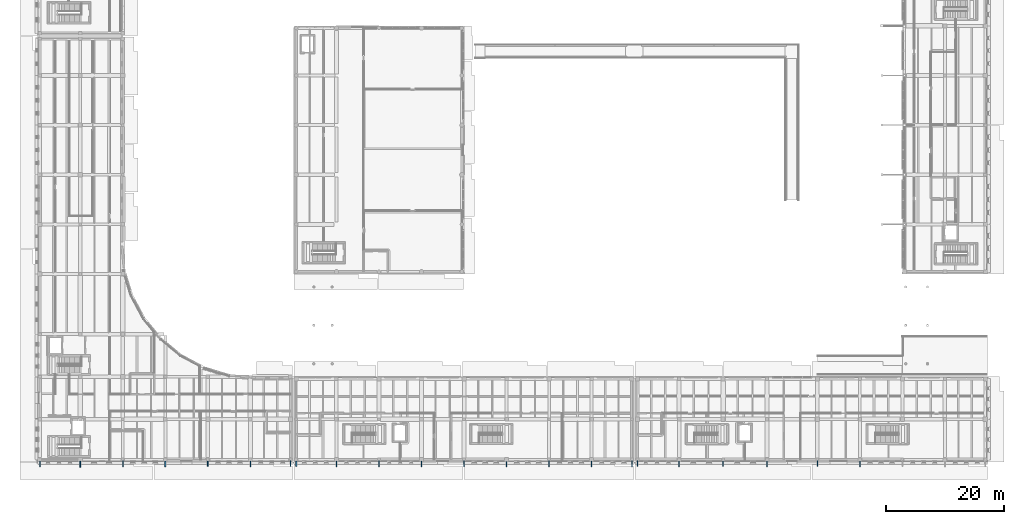
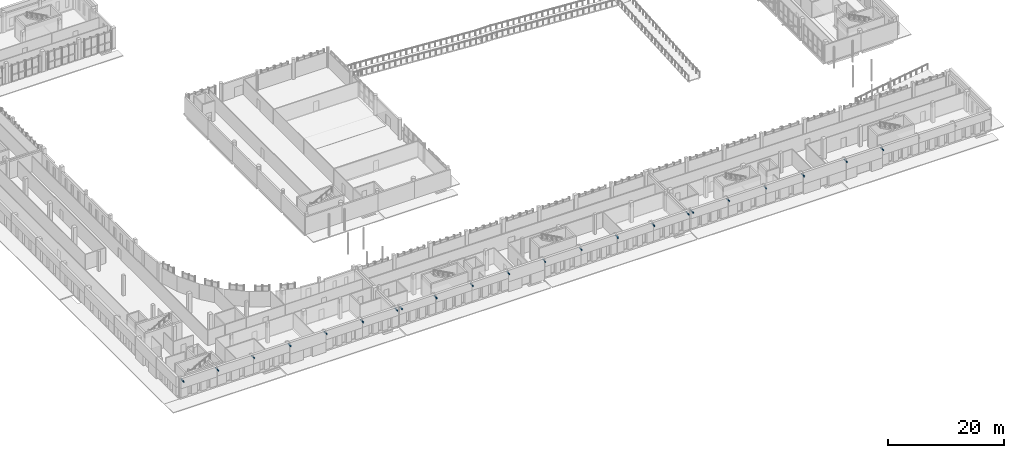
# One storey, part 35 of 77: 22 members.
"""IFC4 building model written with IfcOpenShell, lengths in metres."""

from ifc_helpers import new_model, si_unit, direction, frame, origin, origin_2d, place, context, subcontext, project, spatial, i_section, extrude, material, material_profile, profile_set, type_object, element, save


model = new_model("IFC4")

# Units and contexts
model_context = context("Model", 3, precision=1e-05, world=origin(), true_north=direction((0.0, 1.0)))
body_context = subcontext(model_context, "Body", "Model", "MODEL_VIEW")
ifc_project = project(units=[si_unit("LENGTHUNIT", "METRE"), si_unit("AREAUNIT", "SQUARE_METRE"), si_unit("VOLUMEUNIT", "CUBIC_METRE"), si_unit("PLANEANGLEUNIT", "RADIAN"), si_unit("MASSUNIT", "GRAM", prefix="KILO")], contexts=[model_context])

# Site, building, storey
site_placement = place(None, origin())
site = spatial("IfcSite", under=ifc_project, at=site_placement, CompositionType="ELEMENT")
building_placement = place(site_placement, origin())
building = spatial("IfcBuilding", under=site, at=building_placement, Name="Vardoun Plaza Health Centre", CompositionType="ELEMENT")
storey_placement = place(building_placement, origin())
storey = spatial("IfcBuildingStorey", under=building, at=storey_placement, Name="L00", CompositionType="ELEMENT", Elevation=0.0)

# Members
ifc_material_1 = material(Name="Steel S355J2", Category="steel")
ifc_material_profile_1 = material_profile(ifc_material_1, i_section(OverallWidth=0.1201171875, OverallDepth=0.239990234375, WebThickness=0.006103515625, FlangeThickness=0.009765625, FilletRadius=0.014892578125, at=origin_2d()), Name="IPE 240")
ifc_profile_set_1 = profile_set([ifc_material_profile_1], Name="Steel S355J2")
member_type_1 = type_object("IfcMemberType", Name="CR-01", PredefinedType="RAFTER", material=ifc_profile_set_1)
for number, where, z_axis, x_axis, name in (
    (1, (33.300048828125, 4.675048828125, 3.969970703125), (0.0, -1.0, 0.0), (1.0, 0.0, 0.0), "V2 L00 South Facade Shading Fin Arm SH-V2-L00-005"),
    (2, (55.080078125, 4.574951171875, 3.93505859375), (0.0, -1.0, 0.0), (1.0, 0.0, 0.0), "V4 L00 South Facade Shading Fin Arm SH-V4-L00-040"),
    (3, (91.080078125, 4.64990234375, 3.93505859375), (0.0, -1.0, 0.0), (1.0, 0.0, 0.0), "V4 L00 South Facade Shading Fin Arm SH-V4-L00-045"),
):
    element("IfcMember", number, at=place(storey_placement, frame(where, z_axis=z_axis, x_axis=x_axis)), inside=storey, type_object=member_type_1, Name=name, PredefinedType="RAFTER", context=body_context, shape_type="SweptSolid", body=[
        extrude(i_section(OverallWidth=0.1201171875, OverallDepth=0.239990234375, WebThickness=0.006103515625, FlangeThickness=0.009765625, FilletRadius=0.014892578125, at=origin_2d()), origin(), (0.0, 0.0, 1.0), 0.949951171875),
    ])
member_1_placement = place(storey_placement, frame((127.97998046875, 4.60009765625, 3.955078125), z_axis=(0.0, -1.0, 0.0), x_axis=(1.0, 0.0, 0.0)))
element("IfcMember", 4, at=member_1_placement, inside=storey, type_object=member_type_1, Name="V5 L00 South Facade Shading Fin Arm SH-V5-L00-060", PredefinedType="RAFTER", context=body_context, shape_type="SweptSolid", body=[
    extrude(i_section(OverallWidth=0.1201171875, OverallDepth=0.239990234375, WebThickness=0.006103515625, FlangeThickness=0.009765625, FilletRadius=0.014892578125, at=origin_2d()), origin(), (0.0, 0.0, 1.0), 0.9501953125),
])
ifc_material_2 = material(Name="Steel S355J2", Category="steel")
ifc_material_profile_2 = material_profile(ifc_material_2, i_section(OverallWidth=0.110107421875, OverallDepth=0.219970703125, WebThickness=0.005859375, FlangeThickness=0.00927734375, FilletRadius=0.011962890625, at=origin_2d()), Name="IPE 220")
ifc_profile_set_2 = profile_set([ifc_material_profile_2], Name="Steel S355J2")
member_type_2 = type_object("IfcMemberType", Name="CR-02", PredefinedType="RAFTER", material=ifc_profile_set_2)
for number, where, z_axis, x_axis, name in (
    (5, (4.8798828125, 4.60009765625, 3.969970703125), (0.0, -1.0, 0.0), (1.0, 0.0, 0.0), "V2 L00 South Facade Shading Fin Arm SH-V2-L00-001"),
    (6, (40.5, 4.60009765625, 3.969970703125), (0.0, -1.0, 0.0), (1.0, 0.0, 0.0), "V2 L00 South Facade Shading Fin Arm SH-V2-L00-006"),
):
    element("IfcMember", number, at=place(storey_placement, frame(where, z_axis=z_axis, x_axis=x_axis)), inside=storey, type_object=member_type_2, Name=name, PredefinedType="RAFTER", context=body_context, shape_type="SweptSolid", body=[
        extrude(i_section(OverallWidth=0.110107421875, OverallDepth=0.219970703125, WebThickness=0.005859375, FlangeThickness=0.00927734375, FilletRadius=0.011962890625, at=origin_2d()), origin(), (0.0, 0.0, 1.0), 0.9501953125),
    ])
for number, where, z_axis, x_axis, name in (
    (7, (62.280029296875, 4.64990234375, 3.93505859375), (0.0, -1.0, 0.0), (1.0, 0.0, 0.0), "V4 L00 South Facade Shading Fin Arm SH-V4-L00-041"),
    (8, (98.280029296875, 4.574951171875, 3.93505859375), (0.0, -1.0, 0.0), (1.0, 0.0, 0.0), "V4 L00 South Facade Shading Fin Arm SH-V4-L00-046"),
    (9, (136.5, 4.675048828125, 3.955078125), (0.0, -1.0, 0.0), (1.0, 0.0, 0.0), "V5 L00 South Facade Shading Fin Arm SH-V5-L00-061"),
):
    element("IfcMember", number, at=place(storey_placement, frame(where, z_axis=z_axis, x_axis=x_axis)), inside=storey, type_object=member_type_2, Name=name, PredefinedType="RAFTER", context=body_context, shape_type="SweptSolid", body=[
        extrude(i_section(OverallWidth=0.110107421875, OverallDepth=0.219970703125, WebThickness=0.005859375, FlangeThickness=0.00927734375, FilletRadius=0.011962890625, at=origin_2d()), origin(), (0.0, 0.0, 1.0), 0.949951171875),
    ])
ifc_material_3 = material(Name="Steel S355J2", Category="steel")
ifc_material_profile_3 = material_profile(ifc_material_3, i_section(OverallWidth=0.10009765625, OverallDepth=0.199951171875, WebThickness=0.005615234375, FlangeThickness=0.008544921875, FilletRadius=0.011962890625, at=origin_2d()), Name="IPE 200")
ifc_profile_set_3 = profile_set([ifc_material_profile_3], Name="Steel S355J2")
member_type_3 = type_object("IfcMemberType", Name="CR-03", PredefinedType="RAFTER", material=ifc_profile_set_3)
for number, where, z_axis, x_axis, name in (
    (10, (11.699951171875, 4.550048828125, 3.969970703125), (0.0, -1.0, 0.0), (1.0, 0.0, 0.0), "V2 L00 South Facade Shading Fin Arm SH-V2-L00-002"),
    (11, (47.320068359375, 4.675048828125, 3.969970703125), (0.0, -1.0, 0.0), (1.0, 0.0, 0.0), "V2 L00 South Facade Shading Fin Arm SH-V2-L00-007"),
    (12, (69.47998046875, 4.574951171875, 3.93505859375), (0.0, -1.0, 0.0), (1.0, 0.0, 0.0), "V4 L00 South Facade Shading Fin Arm SH-V4-L00-042"),
    (13, (105.10009765625, 4.64990234375, 3.93505859375), (0.0, -1.0, 0.0), (1.0, 0.0, 0.0), "V4 L00 South Facade Shading Fin Arm SH-V4-L00-047"),
    (14, (106.0400390625, 4.675048828125, 3.955078125), (0.0, -1.0, 0.0), (1.0, 0.0, 0.0), "V5 L00 South Facade Shading Fin Arm SH-V5-L00-057"),
):
    element("IfcMember", number, at=place(storey_placement, frame(where, z_axis=z_axis, x_axis=x_axis)), inside=storey, type_object=member_type_3, Name=name, PredefinedType="RAFTER", context=body_context, shape_type="SweptSolid", body=[
        extrude(i_section(OverallWidth=0.10009765625, OverallDepth=0.199951171875, WebThickness=0.005615234375, FlangeThickness=0.008544921875, FilletRadius=0.011962890625, at=origin_2d()), origin(), (0.0, 0.0, 1.0), 0.949951171875),
    ])
member_2_placement = place(storey_placement, frame((143.699951171875, 4.60009765625, 3.955078125), z_axis=(0.0, -1.0, 0.0), x_axis=(1.0, 0.0, 0.0)))
element("IfcMember", 15, at=member_2_placement, inside=storey, type_object=member_type_3, Name="V5 L00 South Facade Shading Fin Arm SH-V5-L00-062", PredefinedType="RAFTER", context=body_context, shape_type="SweptSolid", body=[
    extrude(i_section(OverallWidth=0.10009765625, OverallDepth=0.199951171875, WebThickness=0.005615234375, FlangeThickness=0.008544921875, FilletRadius=0.011962890625, at=origin_2d()), origin(), (0.0, 0.0, 1.0), 0.9501953125),
])
ifc_material_4 = material(Name="Steel S355J2", Category="steel")
ifc_material_profile_4 = material_profile(ifc_material_4, i_section(OverallWidth=0.091064453125, OverallDepth=0.179931640625, WebThickness=0.00537109375, FlangeThickness=0.008056640625, FilletRadius=0.009033203125, at=origin_2d()), Name="IPE 180")
ifc_profile_set_4 = profile_set([ifc_material_profile_4], Name="Steel S355J2")
member_type_4 = type_object("IfcMemberType", Name="CR-04", PredefinedType="RAFTER", material=ifc_profile_set_4)
for number, where, z_axis, x_axis, name in (
    (16, (18.89990234375, 4.64990234375, 3.969970703125), (0.0, -1.0, 0.0), (1.0, 0.0, 0.0), "V2 L00 South Facade Shading Fin Arm SH-V2-L00-003"),
    (17, (76.679931640625, 4.64990234375, 3.93505859375), (0.0, -1.0, 0.0), (1.0, 0.0, 0.0), "V4 L00 South Facade Shading Fin Arm SH-V4-L00-043"),
):
    element("IfcMember", number, at=place(storey_placement, frame(where, z_axis=z_axis, x_axis=x_axis)), inside=storey, type_object=member_type_4, Name=name, PredefinedType="RAFTER", context=body_context, shape_type="SweptSolid", body=[
        extrude(i_section(OverallWidth=0.091064453125, OverallDepth=0.179931640625, WebThickness=0.00537109375, FlangeThickness=0.008056640625, FilletRadius=0.009033203125, at=origin_2d()), origin(), (0.0, 0.0, 1.0), 0.949951171875),
    ])
member_3_placement = place(storey_placement, frame((113.10009765625, 4.60009765625, 3.955078125), z_axis=(0.0, -1.0, 0.0), x_axis=(1.0, 0.0, 0.0)))
element("IfcMember", 18, at=member_3_placement, inside=storey, type_object=member_type_4, Name="V5 L00 South Facade Shading Fin Arm SH-V5-L00-058", PredefinedType="RAFTER", context=body_context, shape_type="SweptSolid", body=[
    extrude(i_section(OverallWidth=0.091064453125, OverallDepth=0.179931640625, WebThickness=0.00537109375, FlangeThickness=0.008056640625, FilletRadius=0.009033203125, at=origin_2d()), origin(), (0.0, 0.0, 1.0), 0.9501953125),
])
ifc_material_5 = material(Name="Steel S355J2", Category="steel")
ifc_material_profile_5 = material_profile(ifc_material_5, i_section(OverallWidth=0.199951171875, OverallDepth=0.18994140625, WebThickness=0.006591796875, FlangeThickness=0.010009765625, FilletRadius=0.01806640625, at=origin_2d()), Name="HEA 200")
ifc_profile_set_5 = profile_set([ifc_material_profile_5], Name="Steel S355J2")
member_type_5 = type_object("IfcMemberType", Name="CR-05", PredefinedType="RAFTER", material=ifc_profile_set_5)
member_4_placement = place(storey_placement, frame((26.10009765625, 4.60009765625, 3.969970703125), z_axis=(0.0, -1.0, 0.0), x_axis=(1.0, 0.0, 0.0)))
element("IfcMember", 19, at=member_4_placement, inside=storey, type_object=member_type_5, Name="V2 L00 South Facade Shading Fin Arm SH-V2-L00-004", PredefinedType="RAFTER", context=body_context, shape_type="SweptSolid", body=[
    extrude(i_section(OverallWidth=0.199951171875, OverallDepth=0.18994140625, WebThickness=0.006591796875, FlangeThickness=0.010009765625, FilletRadius=0.01806640625, at=origin_2d()), origin(), (0.0, 0.0, 1.0), 0.9501953125),
])
for number, where, z_axis, x_axis, name in (
    (20, (48.260009765625, 4.64990234375, 3.93505859375), (0.0, -1.0, 0.0), (1.0, 0.0, 0.0), "V4 L00 South Facade Shading Fin Arm SH-V4-L00-039"),
    (21, (83.8798828125, 4.574951171875, 3.93505859375), (0.0, -1.0, 0.0), (1.0, 0.0, 0.0), "V4 L00 South Facade Shading Fin Arm SH-V4-L00-044"),
    (22, (120.5400390625, 4.675048828125, 3.955078125), (0.0, -1.0, 0.0), (1.0, 0.0, 0.0), "V5 L00 South Facade Shading Fin Arm SH-V5-L00-059"),
):
    element("IfcMember", number, at=place(storey_placement, frame(where, z_axis=z_axis, x_axis=x_axis)), inside=storey, type_object=member_type_5, Name=name, PredefinedType="RAFTER", context=body_context, shape_type="SweptSolid", body=[
        extrude(i_section(OverallWidth=0.199951171875, OverallDepth=0.18994140625, WebThickness=0.006591796875, FlangeThickness=0.010009765625, FilletRadius=0.01806640625, at=origin_2d()), origin(), (0.0, 0.0, 1.0), 0.949951171875),
    ])

save(model, "model.ifc")
